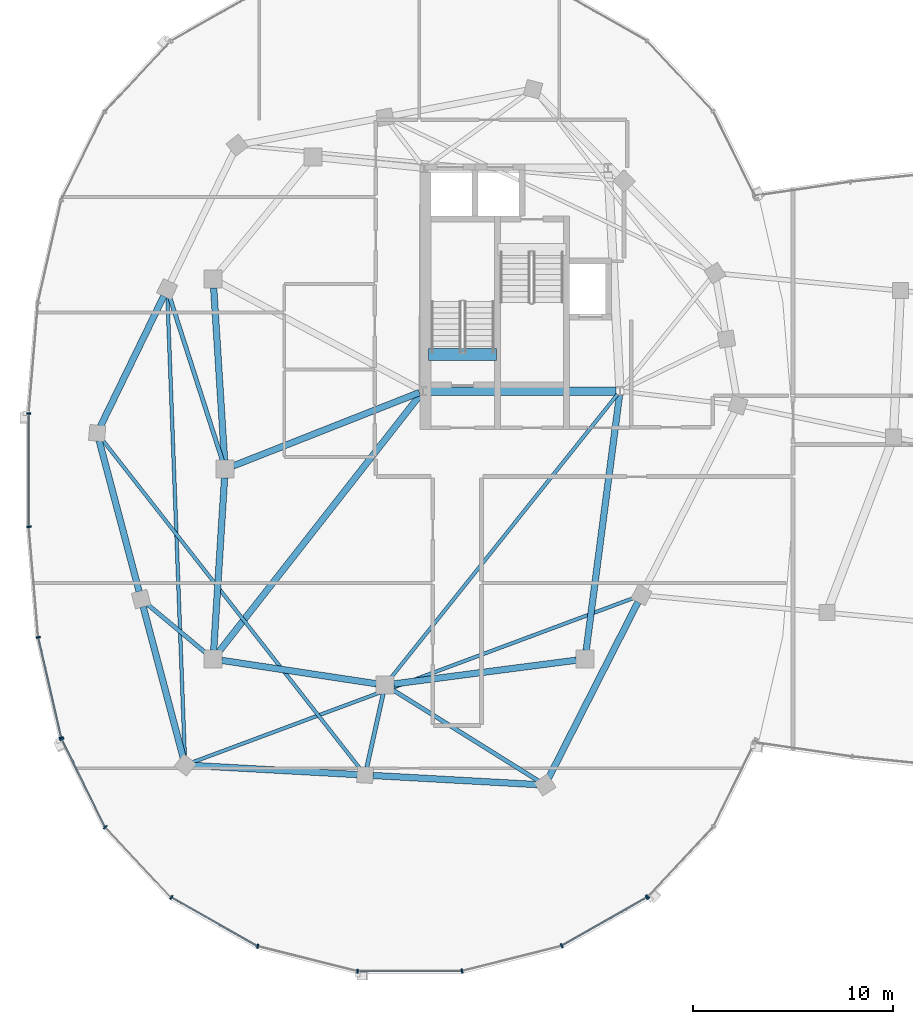
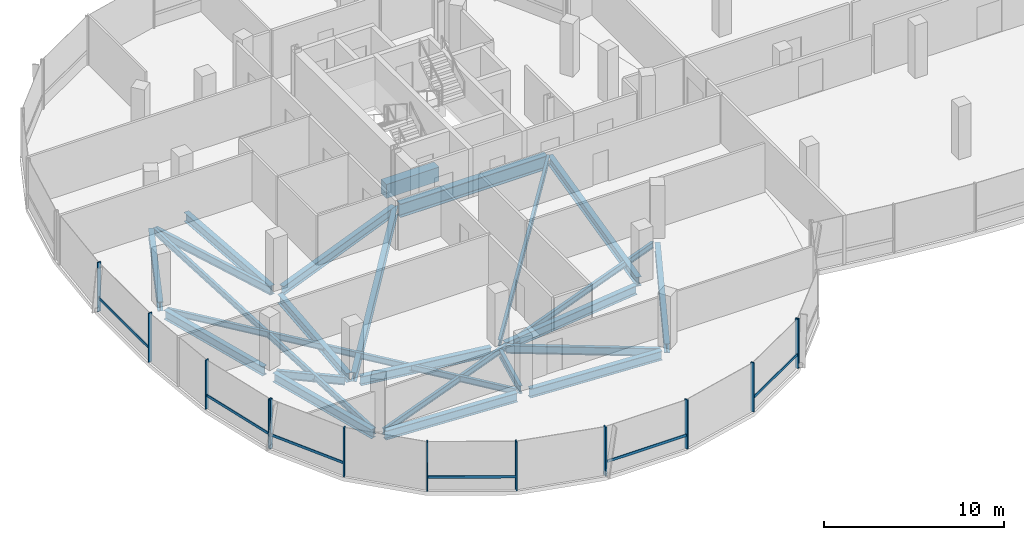
# One storey, part 3 of 26: 23 beams, 19 members, 3 elements without a shape of their own.
"""IFC4 building model written with IfcOpenShell, lengths in metres."""

from ifc_helpers import new_model, si_unit, direction, frame, origin, origin_2d, place, context, subcontext, project, spatial, rectangle, i_section, extrude, material, material_profile, profile_set, type_object, element, aggregate, save


model = new_model("IFC4")

# Units and contexts
model_context = context("Model", 3, precision=1e-05, world=origin(), true_north=direction((0.0, 1.0)))
body_context = subcontext(model_context, "Body", "Model", "MODEL_VIEW")
ifc_project = project(units=[si_unit("LENGTHUNIT", "METRE"), si_unit("AREAUNIT", "SQUARE_METRE"), si_unit("VOLUMEUNIT", "CUBIC_METRE"), si_unit("PLANEANGLEUNIT", "RADIAN"), si_unit("MASSUNIT", "GRAM", prefix="KILO"), si_unit("THERMODYNAMICTEMPERATUREUNIT", "KELVIN"), si_unit("POWERUNIT", "WATT")], contexts=[model_context])

# Site, building, storey
site_placement = place(None, origin())
site = spatial("IfcSite", under=ifc_project, at=site_placement, CompositionType="ELEMENT")
building_placement = place(site_placement, origin())
building = spatial("IfcBuilding", under=site, at=building_placement, Name="Cundina Bronze Exchange", CompositionType="ELEMENT")
storey_placement = place(building_placement, frame((0.0, 0.0, 261.199951171875)))
storey = spatial("IfcBuildingStorey", under=building, at=storey_placement, Name="L69", CompositionType="ELEMENT", Elevation=261.199951171875)

# Beams
ifc_material_1 = material(Name="Concrete C60/75", Category="concrete")
ifc_material_profile_1 = material_profile(ifc_material_1, rectangle(XDim=0.60009765625, YDim=0.949951171875, at=origin_2d()), Name="RC600X950", Category="concrete")
ifc_profile_set_1 = profile_set([ifc_material_profile_1], Name="Concrete C60/75")
beam_type_1 = type_object("IfcBeamType", Name="BM-COUP-RC950", PredefinedType="LINTEL", material=ifc_profile_set_1)
beam_1_placement = place(storey_placement, frame((-31.02001953125, 5.719970703125, -0.474853515625), z_axis=(1.0, 0.0, 0.0), x_axis=(0.0, 1.0, 0.0)))
element("IfcBeam", 1, at=beam_1_placement, inside=storey, type_object=beam_type_1, Name="L69 Stair W1 Landing Header Beam", PredefinedType="LINTEL", context=body_context, shape_type="SweptSolid", body=[
    extrude(rectangle(XDim=0.60009765625, YDim=0.949951171875, at=origin_2d()), origin(), (0.0, 0.0, 1.0), 3.39990234375),
])
ifc_material_2 = material(Name="Steel ASTM A992 Grade 50", Category="steel")
ifc_material_profile_2 = material_profile(ifc_material_2, i_section(OverallWidth=0.2119140625, OverallDepth=0.5439453125, WebThickness=0.01318359375, FlangeThickness=0.021240234375, FilletRadius=0.013916015625, at=origin_2d()), Name="W21X83", Category="steel")
ifc_profile_set_2 = profile_set([ifc_material_profile_2], Name="Steel ASTM A992 Grade 50")
beam_type_2 = type_object("IfcBeamType", Name="BM-FLR-W21A", PredefinedType="BEAM", material=ifc_profile_set_2)
beam_2_placement = place(storey_placement, frame((-41.334228515625, 0.4169921875, -0.531982421875), z_axis=(-0.306706012964, 0.951804297958, 0.0), x_axis=(-0.951804297958, -0.306706012964, 0.0)))
element("IfcBeam", 2, at=beam_2_placement, inside=storey, type_object=beam_type_2, Name="L69 Leg W Radial Floor Beam 07", PredefinedType="BEAM", context=body_context, shape_type="SweptSolid", body=[
    extrude(i_section(OverallWidth=0.2119140625, OverallDepth=0.5439453125, WebThickness=0.01318359375, FlangeThickness=0.021240234375, FilletRadius=0.013916015625, at=origin_2d()), origin(), (0.0, 0.0, 1.0), 8.629638671875),
])
beam_3_placement = place(storey_placement, frame((-42.136474609375, -9.219482421875, -0.531982421875), z_axis=(-0.768210910963, 0.640196841821, 0.0), x_axis=(-0.640196841821, -0.768210910963, 0.0)))
element("IfcBeam", 3, at=beam_3_placement, inside=storey, type_object=beam_type_2, Name="L69 Leg W Radial Floor Beam 09", PredefinedType="BEAM", context=body_context, shape_type="SweptSolid", body=[
    extrude(i_section(OverallWidth=0.2119140625, OverallDepth=0.5439453125, WebThickness=0.01318359375, FlangeThickness=0.021240234375, FilletRadius=0.013916015625, at=origin_2d()), origin(), (0.0, 0.0, 1.0), 3.860107421875),
])
beam_4_placement = place(storey_placement, frame((-33.294921875, -11.2275390625, -0.531982421875), z_axis=(-0.216930457819, -0.976187060184, 0.0), x_axis=(0.976187060184, -0.216930457819, 0.0)))
element("IfcBeam", 4, at=beam_4_placement, inside=storey, type_object=beam_type_2, Name="L69 Leg W Radial Floor Beam 11", PredefinedType="BEAM", context=body_context, shape_type="SweptSolid", body=[
    extrude(i_section(OverallWidth=0.2119140625, OverallDepth=0.5439453125, WebThickness=0.01318359375, FlangeThickness=0.021240234375, FilletRadius=0.013916015625, at=origin_2d()), origin(), (0.0, 0.0, 1.0), 3.78369140625),
])
beam_5_placement = place(storey_placement, frame((-32.82861328125, -11.031982421875, -0.531982421875), z_axis=(0.847983963552, -0.530021884038, 0.0), x_axis=(0.530021884038, 0.847983963552, 0.0)))
element("IfcBeam", 5, at=beam_5_placement, inside=storey, type_object=beam_type_2, Name="L69 Leg W Radial Floor Beam 12", PredefinedType="BEAM", context=body_context, shape_type="SweptSolid", body=[
    extrude(i_section(OverallWidth=0.2119140625, OverallDepth=0.5439453125, WebThickness=0.01318359375, FlangeThickness=0.021240234375, FilletRadius=0.013916015625, at=origin_2d()), origin(), (0.0, 0.0, 1.0), 8.608154296875),
])
ifc_material_profile_3 = material_profile(ifc_material_2, i_section(OverallWidth=0.178955078125, OverallDepth=0.409912109375, WebThickness=0.0087890625, FlangeThickness=0.014404296875, FilletRadius=0.010986328125, at=origin_2d()), Name="W16X45", Category="steel")
ifc_profile_set_3 = profile_set([ifc_material_profile_3], Name="Steel ASTM A992 Grade 50")
beam_type_3 = type_object("IfcBeamType", Name="BM-JST-W16", PredefinedType="JOIST", material=ifc_profile_set_3)
beam_6_placement = place(storey_placement, frame((-21.572509765625, 3.746826171875, -0.46484375), z_axis=(-0.624364266872, -0.781133319129, 0.0), x_axis=(0.781133319129, -0.624364266872, 0.0)))
element("IfcBeam", 6, at=beam_6_placement, inside=storey, type_object=beam_type_3, Name="L69 W Interior Core-to-Ring Joist 2", PredefinedType="JOIST", context=body_context, shape_type="SweptSolid", body=[
    extrude(i_section(OverallWidth=0.178955078125, OverallDepth=0.409912109375, WebThickness=0.0087890625, FlangeThickness=0.014404296875, FilletRadius=0.010986328125, at=origin_2d()), origin(), (0.0, 0.0, 1.0), 18.184814453125),
])
beam_7_placement = place(storey_placement, frame((-44.085205078125, 8.6123046875, -0.46484375), z_axis=(0.037784872152, -0.999285896746, 0.0), x_axis=(0.999285896746, 0.037784872152, 0.0)))
element("IfcBeam", 7, at=beam_7_placement, inside=storey, type_object=beam_type_3, Name="L69 Leg W Lobe Floor Joist 07-10", PredefinedType="JOIST", context=body_context, shape_type="SweptSolid", body=[
    extrude(i_section(OverallWidth=0.178955078125, OverallDepth=0.409912109375, WebThickness=0.0087890625, FlangeThickness=0.014404296875, FilletRadius=0.010986328125, at=origin_2d()), origin(), (0.0, 0.0, 1.0), 23.041015625),
])
beam_8_placement = place(storey_placement, frame((-47.360595703125, 1.49462890625, -0.46484375), z_axis=(0.616804005008, -0.78711677622, 0.0), x_axis=(0.78711677622, 0.616804005008, 0.0)))
element("IfcBeam", 8, at=beam_8_placement, inside=storey, type_object=beam_type_3, Name="L69 Leg W Lobe Floor Joist 08-11", PredefinedType="JOIST", context=body_context, shape_type="SweptSolid", body=[
    extrude(i_section(OverallWidth=0.178955078125, OverallDepth=0.409912109375, WebThickness=0.0087890625, FlangeThickness=0.014404296875, FilletRadius=0.010986328125, at=origin_2d()), origin(), (0.0, 0.0, 1.0), 20.948974609375),
])
beam_9_placement = place(storey_placement, frame((-42.83642578125, -14.66455078125, -0.46484375), z_axis=(0.937127932085, 0.348986015344, 0.0), x_axis=(-0.348986015344, 0.937127932085, 0.0)))
element("IfcBeam", 9, at=beam_9_placement, inside=storey, type_object=beam_type_3, Name="L69 Leg W Lobe Floor Joist 10-13", PredefinedType="JOIST", context=body_context, shape_type="SweptSolid", body=[
    extrude(i_section(OverallWidth=0.178955078125, OverallDepth=0.409912109375, WebThickness=0.0087890625, FlangeThickness=0.014404296875, FilletRadius=0.010986328125, at=origin_2d()), origin(), (0.0, 0.0, 1.0), 23.58056640625),
])
ifc_material_profile_4 = material_profile(ifc_material_2, i_section(OverallWidth=0.324951171875, OverallDepth=0.615966796875, WebThickness=0.013916015625, FlangeThickness=0.021484375, FilletRadius=0.01611328125, at=origin_2d()), Name="W24X117", Category="steel")
ifc_profile_set_4 = profile_set([ifc_material_profile_4], Name="Steel ASTM A992 Grade 50")
beam_type_4 = type_object("IfcBeamType", Name="BM-RING-W24", PredefinedType="USERDEFINED", material=ifc_profile_set_4)
for number, where, z_axis, x_axis, name in (
    (10, (-41.7724609375, 9.06298828125, -0.56787109375), (0.063046519736, -0.998010589297, 0.0), (0.998010589297, 0.063046519736, 0.0), "L69 W Inner Structural Ring Girder 03"),
    (11, (-41.2275390625, -0.43701171875, -0.56787109375), (-0.063046519736, -0.998010589297, 0.0), (0.998010589297, -0.063046519736, 0.0), "L69 W Inner Structural Ring Girder 04"),
):
    element("IfcBeam", number, at=place(storey_placement, frame(where, z_axis=z_axis, x_axis=x_axis)), inside=storey, type_object=beam_type_4, Name=name, ObjectType="GIRDER", PredefinedType="USERDEFINED", context=body_context, shape_type="SweptSolid", body=[
        extrude(i_section(OverallWidth=0.324951171875, OverallDepth=0.615966796875, WebThickness=0.013916015625, FlangeThickness=0.021484375, FilletRadius=0.01611328125, at=origin_2d()), origin(), (0.0, 0.0, 1.0), 8.64306640625),
    ])
beam_10_placement = place(storey_placement, frame((-41.366943359375, -9.5654296875, -0.56787109375), z_axis=(0.988764903598, -0.149478979839, 0.0), x_axis=(0.149478979839, 0.988764903598, 0.0)))
element("IfcBeam", 12, at=beam_10_placement, inside=storey, type_object=beam_type_4, Name="L69 W Inner Structural Ring Girder 05", ObjectType="GIRDER", PredefinedType="USERDEFINED", context=body_context, shape_type="SweptSolid", body=[
    extrude(i_section(OverallWidth=0.324951171875, OverallDepth=0.615966796875, WebThickness=0.013916015625, FlangeThickness=0.021484375, FilletRadius=0.01611328125, at=origin_2d()), origin(), (0.0, 0.0, 1.0), 7.82177734375),
])
beam_11_placement = place(storey_placement, frame((-32.765625, -10.743408203125, -0.56787109375), z_axis=(0.991656498582, 0.128908451316, 0.0), x_axis=(-0.128908451316, 0.991656498582, 0.0)))
element("IfcBeam", 13, at=beam_11_placement, inside=storey, type_object=beam_type_4, Name="L69 W Inner Structural Ring Girder 06", ObjectType="GIRDER", PredefinedType="USERDEFINED", context=body_context, shape_type="SweptSolid", body=[
    extrude(i_section(OverallWidth=0.324951171875, OverallDepth=0.615966796875, WebThickness=0.013916015625, FlangeThickness=0.021484375, FilletRadius=0.01611328125, at=origin_2d()), origin(), (0.0, 0.0, 1.0), 9.208251953125),
])
beam_12_placement = place(storey_placement, frame((-23.143310546875, -9.065673828125, -0.56787109375), z_axis=(0.129501251979, 0.991579258424, 0.0), x_axis=(-0.991579258424, 0.129501251979, 0.0)))
element("IfcBeam", 14, at=beam_12_placement, inside=storey, type_object=beam_type_4, Name="L69 W Inner Structural Ring Girder 07", ObjectType="GIRDER", PredefinedType="USERDEFINED", context=body_context, shape_type="SweptSolid", body=[
    extrude(i_section(OverallWidth=0.324951171875, OverallDepth=0.615966796875, WebThickness=0.013916015625, FlangeThickness=0.021484375, FilletRadius=0.01611328125, at=origin_2d()), origin(), (0.0, 0.0, 1.0), 12.8798828125),
])
beam_13_placement = place(storey_placement, frame((-31.482421875, 3.828125, -0.56787109375), z_axis=(-0.930404106569, -0.366535398673, 0.0), x_axis=(0.366535398673, -0.930404106569, 0.0)))
element("IfcBeam", 15, at=beam_13_placement, inside=storey, type_object=beam_type_4, Name="L69 W Core-to-Waist Tie Beam 1", ObjectType="GIRDER", PredefinedType="USERDEFINED", context=body_context, shape_type="SweptSolid", body=[
    extrude(i_section(OverallWidth=0.324951171875, OverallDepth=0.615966796875, WebThickness=0.013916015625, FlangeThickness=0.021484375, FilletRadius=0.01611328125, at=origin_2d()), origin(), (0.0, 0.0, 1.0), 10.00634765625),
])
beam_14_placement = place(storey_placement, frame((-31.4208984375, 3.74560546875, -0.56787109375), z_axis=(-0.616782900053, -0.787133314123, 0.0), x_axis=(0.787133314123, -0.616782900053, 0.0)))
element("IfcBeam", 16, at=beam_14_placement, inside=storey, type_object=beam_type_4, Name="L69 W Core-to-Waist Tie Beam 3", ObjectType="GIRDER", PredefinedType="USERDEFINED", context=body_context, shape_type="SweptSolid", body=[
    extrude(i_section(OverallWidth=0.324951171875, OverallDepth=0.615966796875, WebThickness=0.013916015625, FlangeThickness=0.021484375, FilletRadius=0.01611328125, at=origin_2d()), origin(), (0.0, 0.0, 1.0), 16.3896484375),
])
beam_15_placement = place(storey_placement, frame((-44.26953125, 8.65087890625, -0.56787109375), z_axis=(-0.437216986791, -0.899356050995, 0.0), x_axis=(0.899356050995, -0.437216986791, 0.0)))
element("IfcBeam", 17, at=beam_15_placement, inside=storey, type_object=beam_type_4, Name="L69 W Perimeter Ring Girder 07", ObjectType="GIRDER", PredefinedType="USERDEFINED", context=body_context, shape_type="SweptSolid", body=[
    extrude(i_section(OverallWidth=0.324951171875, OverallDepth=0.615966796875, WebThickness=0.013916015625, FlangeThickness=0.021484375, FilletRadius=0.01611328125, at=origin_2d()), origin(), (0.0, 0.0, 1.0), 7.2294921875),
])
for number, where, z_axis, x_axis, name in (
    (18, (-47.50048828125, 1.425048828125, -0.56787109375), (0.256183793797, -0.966628089699, 0.0), (0.966628089699, 0.256183793797, 0.0), "L69 W Perimeter Ring Girder 08"),
    (19, (-45.300537109375, -6.875, -0.56787109375), (0.256212999207, -0.966620348967, 0.0), (0.966620348967, 0.256212999207, 0.0), "L69 W Perimeter Ring Girder 09"),
):
    element("IfcBeam", number, at=place(storey_placement, frame(where, z_axis=z_axis, x_axis=x_axis)), inside=storey, type_object=beam_type_4, Name=name, ObjectType="GIRDER", PredefinedType="USERDEFINED", context=body_context, shape_type="SweptSolid", body=[
        extrude(i_section(OverallWidth=0.324951171875, OverallDepth=0.615966796875, WebThickness=0.013916015625, FlangeThickness=0.021484375, FilletRadius=0.01611328125, at=origin_2d()), origin(), (0.0, 0.0, 1.0), 7.810791015625),
    ])
for number, where, z_axis, x_axis, name in (
    (20, (-42.8125, -14.821533203125, -0.56787109375), (0.998459806018, -0.055479868117, 0.0), (0.055479868117, 0.998459806018, 0.0), "L69 W Perimeter Ring Girder 10"),
    (21, (-33.8125, -15.321533203125, -0.56787109375), (0.998459806018, -0.055479868117, 0.0), (0.055479868117, 0.998459806018, 0.0), "L69 W Perimeter Ring Girder 11"),
):
    element("IfcBeam", number, at=place(storey_placement, frame(where, z_axis=z_axis, x_axis=x_axis)), inside=storey, type_object=beam_type_4, Name=name, ObjectType="GIRDER", PredefinedType="USERDEFINED", context=body_context, shape_type="SweptSolid", body=[
        extrude(i_section(OverallWidth=0.324951171875, OverallDepth=0.615966796875, WebThickness=0.013916015625, FlangeThickness=0.021484375, FilletRadius=0.01611328125, at=origin_2d()), origin(), (0.0, 0.0, 1.0), 8.23779296875),
    ])
beam_16_placement = place(storey_placement, frame((-25.0244140625, -15.4541015625, -0.56787109375), z_axis=(0.452839263805, 0.891592171991, 0.0), x_axis=(-0.891592171991, 0.452839263805, 0.0)))
element("IfcBeam", 22, at=beam_16_placement, inside=storey, type_object=beam_type_4, Name="L69 W Perimeter Ring Girder 12", ObjectType="GIRDER", PredefinedType="USERDEFINED", context=body_context, shape_type="SweptSolid", body=[
    extrude(i_section(OverallWidth=0.324951171875, OverallDepth=0.615966796875, WebThickness=0.013916015625, FlangeThickness=0.021484375, FilletRadius=0.01611328125, at=origin_2d()), origin(), (0.0, 0.0, 1.0), 9.879150390625),
])
ifc_material_profile_5 = material_profile(ifc_material_2, i_section(OverallWidth=0.41796875, OverallDepth=0.927001953125, WebThickness=0.019287109375, FlangeThickness=0.031982421875, FilletRadius=0.02392578125, at=origin_2d()), Name="W36X231", Category="steel")
ifc_profile_set_5 = profile_set([ifc_material_profile_5], Name="Steel ASTM A992 Grade 50")
beam_type_5 = type_object("IfcBeamType", Name="BM-WRN-W36B", PredefinedType="USERDEFINED", material=ifc_profile_set_5)
beam_17_placement = place(storey_placement, frame((-31.10400390625, 3.89990234375, -0.723388671875), z_axis=(1.0, 0.0, 0.0), x_axis=(0.0, 1.0, 0.0)))
element("IfcBeam", 23, at=beam_17_placement, inside=storey, type_object=beam_type_5, Name="L69 W Core Perimeter Tie Girder 1", ObjectType="GIRDER", PredefinedType="USERDEFINED", context=body_context, shape_type="SweptSolid", body=[
    extrude(i_section(OverallWidth=0.41796875, OverallDepth=0.927001953125, WebThickness=0.019287109375, FlangeThickness=0.031982421875, FilletRadius=0.02392578125, at=origin_2d()), origin(), (0.0, 0.0, 1.0), 9.4580078125),
])

# Curtain wall, members
ifc_material_3 = material(Name="Anodised Bronze Aluminium 6063-T6", Category="aluminium")
curtain_wall_type = type_object("IfcCurtainWallType", Name="CWS-SKG-BRG", PredefinedType="NOTDEFINED", material=ifc_material_3)
curtain_wall_1_placement = place(storey_placement, origin())
curtain_wall_1 = element("IfcCurtainWall", 24, at=curtain_wall_1_placement, inside=storey, type_object=curtain_wall_type, Name="L69 CW-06 Curtain Wall Run CWR-L69-W2", PredefinedType="NOTDEFINED")
ifc_material_profile_6 = material_profile(ifc_material_3, rectangle(XDim=0.074951171875, YDim=0.219970703125, at=origin_2d()), Name="AL75X220", Category="aluminium")
ifc_profile_set_6 = profile_set([ifc_material_profile_6], Name="Anodised Bronze Aluminium 6063-T6")
member_type_1 = type_object("IfcMemberType", Name="CWM-MUL-220", PredefinedType="MULLION", material=ifc_profile_set_6)
member_1_placement = place(storey_placement, frame((-51.01904296875, 2.79150390625, 0.0), z_axis=(0.0, 0.0, 1.0), x_axis=(0.0, -1.0, 0.0)))
member_1 = element("IfcMember", 25, at=member_1_placement, type_object=member_type_1, Name="CW-06 Mullion 5", PredefinedType="MULLION", context=body_context, shape_type="SweptSolid", body=[
    extrude(rectangle(XDim=0.074951171875, YDim=0.219970703125, at=origin_2d()), origin(), (0.0, 0.0, 1.0), 3.340087890625),
])
member_2_placement = place(storey_placement, frame((-51.01513671875, -2.885498046875, 0.0), z_axis=(0.0, 0.0, 1.0), x_axis=(0.083677843332, -0.99649285925, 0.0)))
member_2 = element("IfcMember", 26, at=member_2_placement, type_object=member_type_1, Name="CW-06 Mullion 6", PredefinedType="MULLION", context=body_context, shape_type="SweptSolid", body=[
    extrude(rectangle(XDim=0.074951171875, YDim=0.219970703125, at=origin_2d()), origin(), (0.0, 0.0, 1.0), 3.340087890625),
])
member_3_placement = place(storey_placement, frame((-50.544677734375, -8.4111328125, 0.0), z_axis=(0.0, 0.0, 1.0), x_axis=(0.223250116011, -0.974761194191, 0.0)))
member_3 = element("IfcMember", 27, at=member_3_placement, type_object=member_type_1, Name="CW-06 Mullion 7", PredefinedType="MULLION", context=body_context, shape_type="SweptSolid", body=[
    extrude(rectangle(XDim=0.074951171875, YDim=0.219970703125, at=origin_2d()), origin(), (0.0, 0.0, 1.0), 3.340087890625),
])
member_4_placement = place(storey_placement, frame((-49.39404296875, -13.433837890625, 0.0), z_axis=(0.0, 0.0, 1.0), x_axis=(0.223250116011, -0.974761194191, 0.0)))
member_4 = element("IfcMember", 28, at=member_4_placement, type_object=member_type_1, Name="CW-06 End Mullion", PredefinedType="MULLION", context=body_context, shape_type="SweptSolid", body=[
    extrude(rectangle(XDim=0.074951171875, YDim=0.219970703125, at=origin_2d()), origin(), (0.0, 0.0, 1.0), 3.340087890625),
])

curtain_wall_2_placement = place(storey_placement, origin())
curtain_wall_2 = element("IfcCurtainWall", 29, at=curtain_wall_2_placement, inside=storey, type_object=curtain_wall_type, Name="L69 CW-06 Curtain Wall Run CWR-L69-W3", PredefinedType="NOTDEFINED")
member_5_placement = place(storey_placement, frame((-49.369140625, -13.50390625, 0.0), z_axis=(0.0, 0.0, 1.0), x_axis=(0.440566004113, -0.897720221461, 0.0)))
member_5 = element("IfcMember", 30, at=member_5_placement, type_object=member_type_1, Name="CW-06 Mullion 1", PredefinedType="MULLION", context=body_context, shape_type="SweptSolid", body=[
    extrude(rectangle(XDim=0.074951171875, YDim=0.219970703125, at=origin_2d()), origin(), (0.0, 0.0, 1.0), 3.340087890625),
])
member_6_placement = place(storey_placement, frame((-47.1962890625, -17.910400390625, 0.0), z_axis=(0.0, 0.0, 1.0), x_axis=(0.684292606175, -0.729207535023, 0.0)))
member_6 = element("IfcMember", 31, at=member_6_placement, type_object=member_type_1, Name="CW-06 Mullion 2", PredefinedType="MULLION", context=body_context, shape_type="SweptSolid", body=[
    extrude(rectangle(XDim=0.074951171875, YDim=0.219970703125, at=origin_2d()), origin(), (0.0, 0.0, 1.0), 3.340087890625),
])
member_7_placement = place(storey_placement, frame((-43.88916015625, -21.419921875, 0.0), z_axis=(0.0, 0.0, 1.0), x_axis=(0.86958112538, -0.493790103568, 0.0)))
member_7 = element("IfcMember", 32, at=member_7_placement, type_object=member_type_1, Name="CW-06 Mullion 3", PredefinedType="MULLION", context=body_context, shape_type="SweptSolid", body=[
    extrude(rectangle(XDim=0.074951171875, YDim=0.219970703125, at=origin_2d()), origin(), (0.0, 0.0, 1.0), 3.340087890625),
])
member_8_placement = place(storey_placement, frame((-39.5703125, -23.86181640625, 0.0), z_axis=(0.0, 0.0, 1.0), x_axis=(0.969744325821, -0.244122802168, 0.0)))
member_8 = element("IfcMember", 33, at=member_8_placement, type_object=member_type_1, Name="CW-06 Mullion 4", PredefinedType="MULLION", context=body_context, shape_type="SweptSolid", body=[
    extrude(rectangle(XDim=0.074951171875, YDim=0.219970703125, at=origin_2d()), origin(), (0.0, 0.0, 1.0), 3.340087890625),
])
member_9_placement = place(storey_placement, frame((-34.576416015625, -25.110107421875, 0.0), z_axis=(0.0, 0.0, 1.0), x_axis=(1.0, 0.0, 0.0)))
member_9 = element("IfcMember", 34, at=member_9_placement, type_object=member_type_1, Name="CW-06 Mullion 5", PredefinedType="MULLION", context=body_context, shape_type="SweptSolid", body=[
    extrude(rectangle(XDim=0.074951171875, YDim=0.219970703125, at=origin_2d()), origin(), (0.0, 0.0, 1.0), 3.340087890625),
])
member_10_placement = place(storey_placement, frame((-29.351806640625, -25.10107421875, 0.0), z_axis=(0.0, 0.0, 1.0), x_axis=(0.969744325821, 0.244122802168, 0.0)))
member_10 = element("IfcMember", 35, at=member_10_placement, type_object=member_type_1, Name="CW-06 Mullion 6", PredefinedType="MULLION", context=body_context, shape_type="SweptSolid", body=[
    extrude(rectangle(XDim=0.074951171875, YDim=0.219970703125, at=origin_2d()), origin(), (0.0, 0.0, 1.0), 3.340087890625),
])
member_11_placement = place(storey_placement, frame((-24.365478515625, -23.8359375, 0.0), z_axis=(0.0, 0.0, 1.0), x_axis=(0.86958112538, 0.493790103568, 0.0)))
member_11 = element("IfcMember", 36, at=member_11_placement, type_object=member_type_1, Name="CW-06 Mullion 7", PredefinedType="MULLION", context=body_context, shape_type="SweptSolid", body=[
    extrude(rectangle(XDim=0.074951171875, YDim=0.219970703125, at=origin_2d()), origin(), (0.0, 0.0, 1.0), 3.340087890625),
])
member_12_placement = place(storey_placement, frame((-20.11083984375, -21.419921875, 0.0), z_axis=(0.0, 0.0, 1.0), x_axis=(0.86958112538, 0.493790103568, 0.0)))
member_12 = element("IfcMember", 37, at=member_12_placement, type_object=member_type_1, Name="CW-06 End Mullion", PredefinedType="MULLION", context=body_context, shape_type="SweptSolid", body=[
    extrude(rectangle(XDim=0.074951171875, YDim=0.219970703125, at=origin_2d()), origin(), (0.0, 0.0, 1.0), 3.340087890625),
])

# Curtain wall, member
curtain_wall_3_placement = place(storey_placement, origin())
curtain_wall_3 = element("IfcCurtainWall", 38, at=curtain_wall_3_placement, inside=storey, type_object=curtain_wall_type, Name="L69 CW-06 Curtain Wall Run CWR-L69-W4", PredefinedType="NOTDEFINED")
member_13_placement = place(storey_placement, frame((-20.059814453125, -21.3798828125, 0.0), z_axis=(0.0, 0.0, 1.0), x_axis=(0.684292606175, 0.729207535023, 0.0)))
member_13 = element("IfcMember", 39, at=member_13_placement, type_object=member_type_1, Name="CW-06 Mullion 1", PredefinedType="MULLION", context=body_context, shape_type="SweptSolid", body=[
    extrude(rectangle(XDim=0.074951171875, YDim=0.219970703125, at=origin_2d()), origin(), (0.0, 0.0, 1.0), 3.340087890625),
])
aggregate(curtain_wall_3, [member_13])

# Member
ifc_material_profile_7 = material_profile(ifc_material_3, rectangle(XDim=0.070068359375, YDim=0.179931640625, at=origin_2d()), Name="AL70X180", Category="aluminium")
ifc_profile_set_7 = profile_set([ifc_material_profile_7], Name="Anodised Bronze Aluminium 6063-T6")
member_type_2 = type_object("IfcMemberType", Name="CWM-TRN-180", PredefinedType="USERDEFINED", material=ifc_profile_set_7)
member_14_placement = place(storey_placement, frame((-51.01904296875, 2.750244140625, 0.920166015625), z_axis=(0.0, -1.0, 0.0), x_axis=(1.0, 0.0, 0.0)))
member_14 = element("IfcMember", 40, at=member_14_placement, type_object=member_type_2, Name="CW-06 Spandrel Transom 5", ObjectType="TRANSOM", PredefinedType="USERDEFINED", context=body_context, shape_type="SweptSolid", body=[
    extrude(rectangle(XDim=0.070068359375, YDim=0.179931640625, at=origin_2d()), origin(), (0.0, 0.0, 1.0), 5.5830078125),
])

member_15_placement = place(storey_placement, frame((-50.535400390625, -8.451416015625, 0.920166015625), z_axis=(0.223283702293, -0.974753501297, 0.0), x_axis=(0.974753501297, 0.223283702293, 0.0)))
member_15 = element("IfcMember", 41, at=member_15_placement, type_object=member_type_2, Name="CW-06 Spandrel Transom 7", ObjectType="TRANSOM", PredefinedType="USERDEFINED", context=body_context, shape_type="SweptSolid", body=[
    extrude(rectangle(XDim=0.070068359375, YDim=0.179931640625, at=origin_2d()), origin(), (0.0, 0.0, 1.0), 5.070068359375),
])

aggregate(curtain_wall_1, [member_1, member_14, member_2, member_3, member_4, member_15])

member_16_placement = place(storey_placement, frame((-49.35107421875, -13.541015625, 0.920166015625), z_axis=(0.440554408939, -0.897725911826, 0.0), x_axis=(0.897725911826, 0.440554408939, 0.0)))
member_16 = element("IfcMember", 42, at=member_16_placement, type_object=member_type_2, Name="CW-06 Spandrel Transom 1", ObjectType="TRANSOM", PredefinedType="USERDEFINED", context=body_context, shape_type="SweptSolid", body=[
    extrude(rectangle(XDim=0.070068359375, YDim=0.179931640625, at=origin_2d()), origin(), (0.0, 0.0, 1.0), 4.848388671875),
])

member_17_placement = place(storey_placement, frame((-43.853271484375, -21.440185546875, 0.920166015625), z_axis=(0.869557366176, -0.493831941989, 0.0), x_axis=(0.493831941989, 0.869557366176, 0.0)))
member_17 = element("IfcMember", 43, at=member_17_placement, type_object=member_type_2, Name="CW-06 Spandrel Transom 3", ObjectType="TRANSOM", PredefinedType="USERDEFINED", context=body_context, shape_type="SweptSolid", body=[
    extrude(rectangle(XDim=0.070068359375, YDim=0.179931640625, at=origin_2d()), origin(), (0.0, 0.0, 1.0), 4.892822265625),
])

member_18_placement = place(storey_placement, frame((-34.53515625, -25.110107421875, 0.920166015625), z_axis=(1.0, 0.0, 0.0), x_axis=(0.0, 1.0, 0.0)))
member_18 = element("IfcMember", 44, at=member_18_placement, type_object=member_type_2, Name="CW-06 Spandrel Transom 5", ObjectType="TRANSOM", PredefinedType="USERDEFINED", context=body_context, shape_type="SweptSolid", body=[
    extrude(rectangle(XDim=0.070068359375, YDim=0.179931640625, at=origin_2d()), origin(), (0.0, 0.0, 1.0), 5.153076171875),
])

member_19_placement = place(storey_placement, frame((-24.32958984375, -23.815673828125, 0.920166015625), z_axis=(0.869558105282, 0.493830640542, 0.0), x_axis=(-0.493830640542, 0.869558105282, 0.0)))
member_19 = element("IfcMember", 45, at=member_19_placement, type_object=member_type_2, Name="CW-06 Spandrel Transom 7", ObjectType="TRANSOM", PredefinedType="USERDEFINED", context=body_context, shape_type="SweptSolid", body=[
    extrude(rectangle(XDim=0.070068359375, YDim=0.179931640625, at=origin_2d()), origin(), (0.0, 0.0, 1.0), 4.810302734375),
])

aggregate(curtain_wall_2, [member_5, member_16, member_6, member_7, member_17, member_8, member_9, member_18, member_10, member_11, member_12, member_19])

save(model, "model.ifc")
